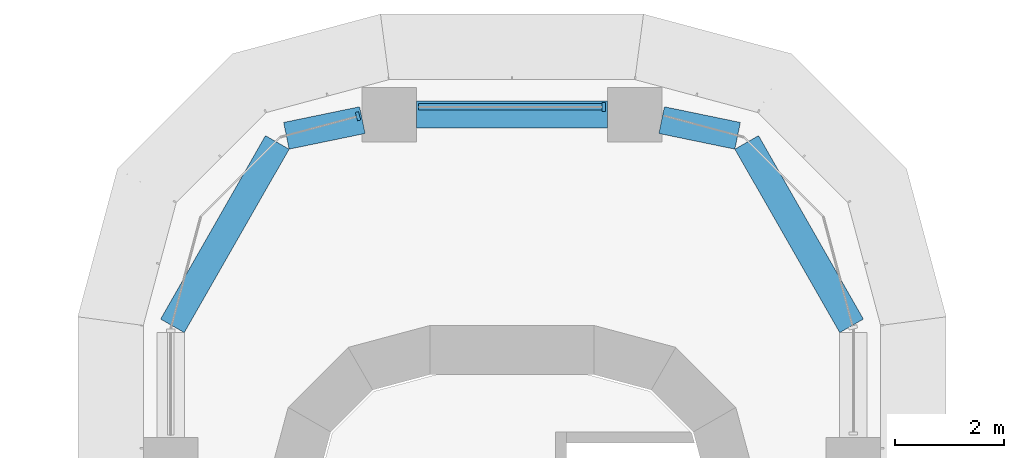
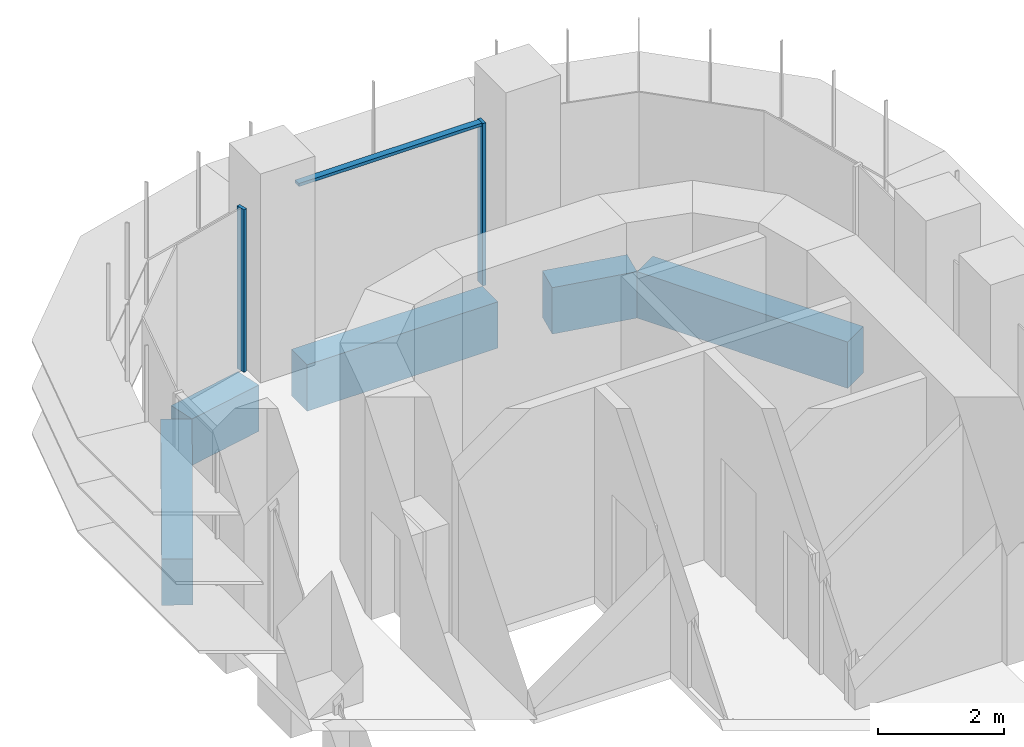
# One storey, part 12 of 23: 5 beams, 3 members, 2 elements without a shape of their own.
"""IFC4 building model written with IfcOpenShell, lengths in metres."""

from ifc_helpers import new_model, si_unit, direction, frame, origin, origin_2d, place, context, subcontext, project, spatial, polyline, rectangle, outline, extrude, source, transform, mapped, material, material_profile, profile_set, type_object, element, aggregate, save


model = new_model("IFC4")

# Units and contexts
model_context = context("Model", 3, precision=1e-05, world=origin(), true_north=direction((0.0, 1.0)))
body_context = subcontext(model_context, "Body", "Model", "MODEL_VIEW")
ifc_project = project(units=[si_unit("LENGTHUNIT", "METRE"), si_unit("AREAUNIT", "SQUARE_METRE"), si_unit("VOLUMEUNIT", "CUBIC_METRE"), si_unit("PLANEANGLEUNIT", "RADIAN"), si_unit("MASSUNIT", "GRAM", prefix="KILO")], contexts=[model_context])

# Site, building, storey
site_placement = place(None, origin())
site = spatial("IfcSite", under=ifc_project, at=site_placement, CompositionType="ELEMENT")
building_placement = place(site_placement, origin())
building = spatial("IfcBuilding", under=site, at=building_placement, Name="Zarbagh Exchange Tower", CompositionType="ELEMENT")
storey_placement = place(building_placement, frame((0.0, 0.0, 73.199951171875)))
storey = spatial("IfcBuildingStorey", under=building, at=storey_placement, Name="L16", CompositionType="ELEMENT", Elevation=73.199951171875)

# Beams
ifc_material_1 = material(Name="Concrete C60/75", Category="concrete")
ifc_material_profile = material_profile(ifc_material_1, rectangle(XDim=0.5, YDim=0.89990234375, at=origin_2d()), Name="RC spandrel beam 500 x 900 C60/75")
ifc_profile_set = profile_set([ifc_material_profile], Name="Concrete C60/75")
beam_type = type_object("IfcBeamType", Name="RC spandrel beam 500 x 900 C60/75", PredefinedType="SPANDREL", material=ifc_profile_set)
beam_1_placement = place(storey_placement, frame((-6.217041015625, 29.24169921875, -0.599853515625), z_axis=(0.496220481126, 0.868196541177, 0.0), x_axis=(-0.868196541177, 0.496220481126, 0.0)))
element("IfcBeam", 1, at=beam_1_placement, inside=storey, type_object=beam_type, Name="RC spandrel beam", PredefinedType="SPANDREL", context=body_context, shape_type="SweptSolid", body=[
    extrude(rectangle(XDim=0.5, YDim=0.89990234375, at=origin_2d()), origin(), (0.0, 0.0, 1.0), 3.869140625),
])
beam_2_placement = place(storey_placement, frame((-4.130615234375, 32.7216796875, -0.599853515625), z_axis=(0.979352054934, 0.202162193541, 0.0), x_axis=(-0.202162193541, 0.979352054934, 0.0)))
element("IfcBeam", 2, at=beam_2_placement, inside=storey, type_object=beam_type, Name="RC spandrel beam", PredefinedType="SPANDREL", context=body_context, shape_type="SweptSolid", body=[
    extrude(rectangle(XDim=0.5, YDim=0.89990234375, at=origin_2d()), origin(), (0.0, 0.0, 1.0), 1.420166015625),
])
beam_3_placement = place(storey_placement, frame((-1.75, 33.110107421875, -0.599853515625), z_axis=(1.0, 0.0, 0.0), x_axis=(0.0, 1.0, 0.0)))
element("IfcBeam", 3, at=beam_3_placement, inside=storey, type_object=beam_type, Name="RC spandrel beam", PredefinedType="SPANDREL", context=body_context, shape_type="SweptSolid", body=[
    extrude(rectangle(XDim=0.5, YDim=0.89990234375, at=origin_2d()), origin(), (0.0, 0.0, 1.0), 3.5),
])
beam_4_placement = place(storey_placement, frame((2.73974609375, 33.0087890625, -0.599853515625), z_axis=(0.979352054934, -0.202162193541, 0.0), x_axis=(0.202162193541, 0.979352054934, 0.0)))
element("IfcBeam", 4, at=beam_4_placement, inside=storey, type_object=beam_type, Name="RC spandrel beam", PredefinedType="SPANDREL", context=body_context, shape_type="SweptSolid", body=[
    extrude(rectangle(XDim=0.5, YDim=0.89990234375, at=origin_2d()), origin(), (0.0, 0.0, 1.0), 1.420166015625),
])
beam_5_placement = place(storey_placement, frame((4.297119140625, 32.600830078125, -0.599853515625), z_axis=(0.496220481126, -0.868196541177, 0.0), x_axis=(0.868196541177, 0.496220481126, 0.0)))
element("IfcBeam", 5, at=beam_5_placement, inside=storey, type_object=beam_type, Name="RC spandrel beam", PredefinedType="SPANDREL", context=body_context, shape_type="SweptSolid", body=[
    extrude(rectangle(XDim=0.5, YDim=0.89990234375, at=origin_2d()), origin(), (0.0, 0.0, 1.0), 3.869140625),
])

# Curtain wall, member
ifc_material_2 = material(Name="Anodised aluminium frame and glazing", Category="aluminium")
curtain_wall_type = type_object("IfcCurtainWallType", Name="CWA Ribbon glazing, lower zones", PredefinedType="NOTDEFINED", material=ifc_material_2)
curtain_wall_1_placement = place(storey_placement, origin())
curtain_wall_1 = element("IfcCurtainWall", 6, at=curtain_wall_1_placement, inside=storey, type_object=curtain_wall_type, Name="CWA24 curtain wall", PredefinedType="NOTDEFINED")
ifc_material_3 = material(Name="Anodised aluminium frame", Category="aluminium")
member_type_1 = type_object("IfcMemberType", Name="MUA Mullion, anodised aluminium frame", PredefinedType="MULLION", material=ifc_material_3)
shared_shape_1 = source(origin(), body_context, "Body", "SweptSolid", [
    extrude(outline(polyline([(0.0, -0.080078125), (0.06005859375, -0.080078125), (0.06005859375, 0.080078125), (0.0, 0.080078125), (0.0, -0.080078125)])), origin(), (0.0, 0.0, 1.0), 3.14990234375),
])
placement = place(storey_placement, origin())
member_1 = element("IfcMember", 7, at=placement, type_object=member_type_1, Name="CWA24 mullion 1.1", PredefinedType="MULLION", context=body_context, shape_type="MappedRepresentation", body=[
    mapped(shared_shape_1, transform((1.7099609375, 33.25, 0.0), x_axis=(-1.0, 0.0, 0.0), y_axis=(0.0, -1.0, 0.0), z_axis=(0.0, 0.0, 1.0))),
])

curtain_wall_2_placement = place(storey_placement, origin())
curtain_wall_2 = element("IfcCurtainWall", 8, at=curtain_wall_2_placement, inside=storey, type_object=curtain_wall_type, Name="CWA25 curtain wall", PredefinedType="NOTDEFINED")
member_2 = element("IfcMember", 9, at=placement, type_object=member_type_1, Name="CWA25 mullion 1.1", PredefinedType="MULLION", context=body_context, shape_type="MappedRepresentation", body=[
    mapped(shared_shape_1, transform((-2.7900390625, 33.087646484375, 0.0), x_axis=(-0.965924289636, -0.258824779902, 0.0), y_axis=(0.258824779902, -0.965924289636, 0.0), z_axis=(0.0, 0.0, 1.0))),
])
aggregate(curtain_wall_2, [member_2])

# Member
member_type_2 = type_object("IfcMemberType", Name="TRA Transom, anodised aluminium frame", PredefinedType="USERDEFINED", material=ifc_material_3)
shared_shape_2 = source(origin(), body_context, "Body", "SweptSolid", [
    extrude(outline(polyline([(-0.06005859375, -0.06005859375), (0.0, -0.06005859375), (0.0, 0.06005859375), (-0.06005859375, 0.06005859375), (-0.06005859375, -0.06005859375)])), origin(), (0.0, 0.0, 1.0), 3.360107421875),
])
member_3 = element("IfcMember", 10, at=placement, type_object=member_type_2, Name="CWA24 transom 1.1", ObjectType="TRANSOM", PredefinedType="USERDEFINED", context=body_context, shape_type="MappedRepresentation", body=[
    mapped(shared_shape_2, transform((1.64990234375, 33.25, 3.150146484375), x_axis=(0.0, 0.0, 1.0), y_axis=(0.0, 1.0, 0.0), z_axis=(-1.0, 0.0, 0.0))),
])

aggregate(curtain_wall_1, [member_1, member_3])

save(model, "model.ifc")
